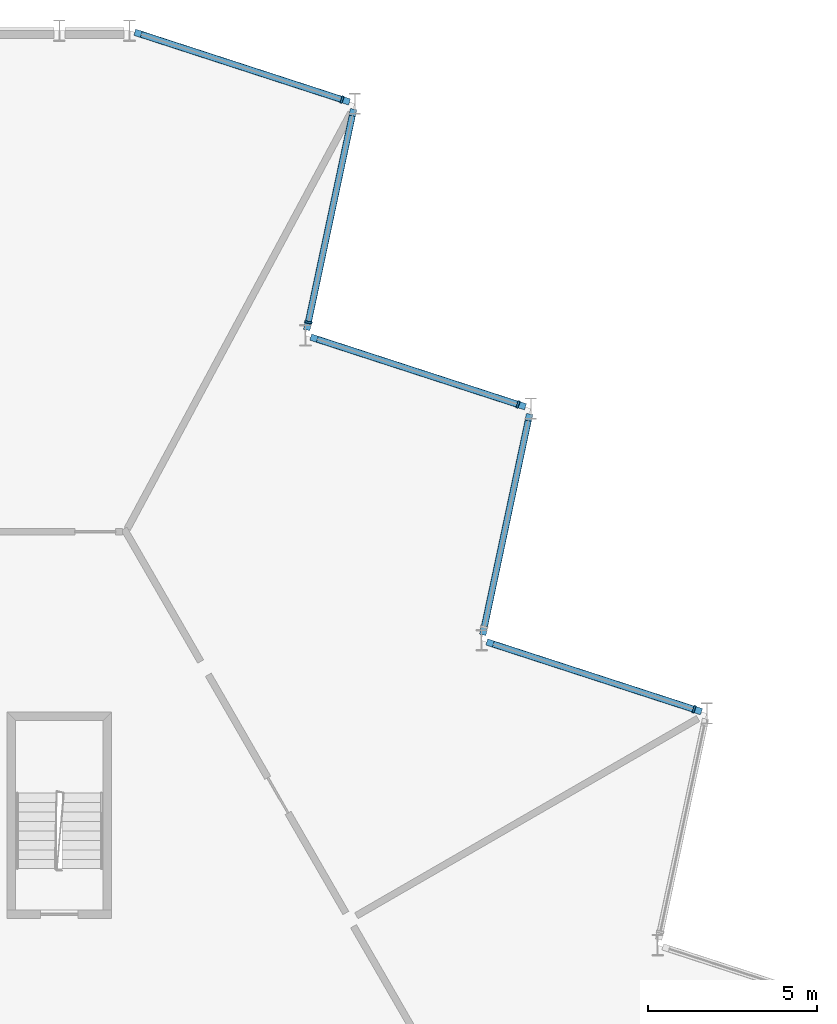
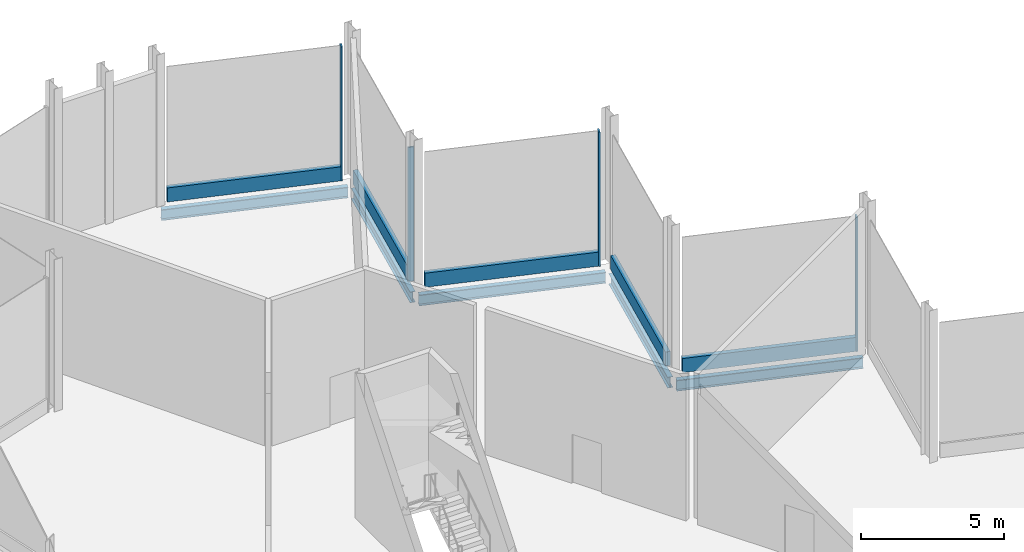
# One storey, part 8 of 12: 9 members, 5 beams, 5 elements without a shape of their own.
"""IFC4 building model written with IfcOpenShell, lengths in metres."""

from ifc_helpers import new_model, si_unit, direction, frame, origin, origin_2d, place, context, subcontext, project, spatial, rectangle, i_section, extrude, material, layer, layer_set, material_profile, profile_set, type_object, element, aggregate, save


model = new_model("IFC4")

# Units and contexts
model_context = context("Model", 3, precision=1e-05, world=origin(), true_north=direction((0.0, 1.0)))
body_context = subcontext(model_context, "Body", "Model", "MODEL_VIEW")
ifc_project = project(units=[si_unit("LENGTHUNIT", "METRE"), si_unit("AREAUNIT", "SQUARE_METRE"), si_unit("VOLUMEUNIT", "CUBIC_METRE"), si_unit("PLANEANGLEUNIT", "RADIAN"), si_unit("MASSUNIT", "GRAM", prefix="KILO")], contexts=[model_context])

# Site, building, storey
site_placement = place(None, origin())
site = spatial("IfcSite", under=ifc_project, at=site_placement, CompositionType="ELEMENT")
building_placement = place(site_placement, origin())
building = spatial("IfcBuilding", under=site, at=building_placement, Name="Cormorant Prow Tower", CompositionType="ELEMENT")
storey_placement = place(building_placement, frame((0.0, 0.0, 421.699951171875)))
storey = spatial("IfcBuildingStorey", under=building, at=storey_placement, Name="L95", CompositionType="ELEMENT", Elevation=421.699951171875)

# Curtain wall, member
ifc_material_1 = material(Name="Aluminium 6063-T6", Category="aluminium")
ifc_layer = layer(ifc_material_1, 0.219970703125)
ifc_layer_set = layer_set([ifc_layer], Name="Aluminium 6063-T6")
curtain_wall_type = type_object("IfcCurtainWallType", Name="Crown unitised curtain wall 220", PredefinedType="NOTDEFINED", material=ifc_layer_set)
curtain_wall_1_placement = place(storey_placement, origin())
curtain_wall_1 = element("IfcCurtainWall", 1, at=curtain_wall_1_placement, inside=storey, type_object=curtain_wall_type, Name="Crown curtain wall crown ENE05", PredefinedType="NOTDEFINED")
ifc_material_2 = material(Name="Aluminium 6063-T6", Category="aluminium")
ifc_material_profile_1 = material_profile(ifc_material_2, rectangle(XDim=0.219970703125, YDim=0.06005859375, at=origin_2d()), Name="Crown mullion 60x220")
ifc_profile_set_1 = profile_set([ifc_material_profile_1], Name="Aluminium 6063-T6")
member_type_1 = type_object("IfcMemberType", Name="Crown mullion 60x220", PredefinedType="MULLION", material=ifc_profile_set_1)
member_1_placement = place(storey_placement, frame((18.751953125, 11.166259765625, 0.0), z_axis=(0.0, 0.0, 1.0), x_axis=(-0.309017066365, -0.951056492904, 0.0)))
member_1 = element("IfcMember", 2, at=member_1_placement, type_object=member_type_1, Name="Crown mullion crown ENE05", PredefinedType="MULLION", context=body_context, shape_type="SweptSolid", body=[
    extrude(rectangle(XDim=0.219970703125, YDim=0.06005859375, at=origin_2d()), origin(), (0.0, 0.0, 1.0), 5.73388671875),
])

curtain_wall_2_placement = place(storey_placement, origin())
curtain_wall_2 = element("IfcCurtainWall", 3, at=curtain_wall_2_placement, inside=storey, type_object=curtain_wall_type, Name="Crown curtain wall crown ENE07", PredefinedType="NOTDEFINED")
member_2_placement = place(storey_placement, frame((13.552001953125, 20.1728515625, 0.0), z_axis=(0.0, 0.0, 1.0), x_axis=(-0.309016937108, -0.951056534902, 0.0)))
member_2 = element("IfcMember", 4, at=member_2_placement, type_object=member_type_1, Name="Crown mullion crown ENE07", PredefinedType="MULLION", context=body_context, shape_type="SweptSolid", body=[
    extrude(rectangle(XDim=0.219970703125, YDim=0.06005859375, at=origin_2d()), origin(), (0.0, 0.0, 1.0), 5.73388671875),
])

curtain_wall_3_placement = place(storey_placement, origin())
curtain_wall_3 = element("IfcCurtainWall", 5, at=curtain_wall_3_placement, inside=storey, type_object=curtain_wall_type, Name="Crown curtain wall crown ENE08", PredefinedType="NOTDEFINED")
member_3_placement = place(storey_placement, frame((7.356201171875, 22.60009765625, 0.0), z_axis=(0.0, 0.0, 1.0), x_axis=(-0.978147615768, 0.207911620089, 0.0)))
member_3 = element("IfcMember", 6, at=member_3_placement, type_object=member_type_1, Name="Crown mullion crown ENE08", PredefinedType="MULLION", context=body_context, shape_type="SweptSolid", body=[
    extrude(rectangle(XDim=0.219970703125, YDim=0.06005859375, at=origin_2d()), origin(), (0.0, 0.0, 1.0), 5.73388671875),
])

curtain_wall_4_placement = place(storey_placement, origin())
curtain_wall_4 = element("IfcCurtainWall", 7, at=curtain_wall_4_placement, inside=storey, type_object=curtain_wall_type, Name="Crown curtain wall crown ENE09", PredefinedType="NOTDEFINED")
member_4_placement = place(storey_placement, frame((8.35205078125, 29.1796875, 0.0), z_axis=(0.0, 0.0, 1.0), x_axis=(-0.309017066365, -0.951056492904, 0.0)))
member_4 = element("IfcMember", 8, at=member_4_placement, type_object=member_type_1, Name="Crown mullion crown ENE09", PredefinedType="MULLION", context=body_context, shape_type="SweptSolid", body=[
    extrude(rectangle(XDim=0.219970703125, YDim=0.06005859375, at=origin_2d()), origin(), (0.0, 0.0, 1.0), 5.73388671875),
])

# Beams
ifc_material_3 = material(Name="Structural steel ASTM A992 Gr 50", Category="steel")
ifc_material_profile_2 = material_profile(ifc_material_3, i_section(OverallWidth=0.19287109375, OverallDepth=0.466064453125, WebThickness=0.011474609375, FlangeThickness=0.01904296875, at=origin_2d()), Name="W18x65")
ifc_profile_set_2 = profile_set([ifc_material_profile_2], Name="Structural steel ASTM A992 Gr 50")
beam_type = type_object("IfcBeamType", Name="Crown ring beam W18x65", PredefinedType="SPANDREL", material=ifc_profile_set_2)
for number, where, z_axis, x_axis, name in (
    (9, (18.973388671875, 11.09423828125, -0.532958984375), (-0.951049666898, 0.309038073858, 0.0), (-0.309038073858, -0.951049666898, 0.0), "Crown ring beam SB5 ENE05-ENE06 L95"),
    (10, (12.5078125, 13.365966796875, -0.532958984375), (0.207919161079, 0.978146012851, 0.0), (-0.978146012851, 0.207919161079, 0.0), "Crown ring beam SB5 ENE06-ENE07 L95"),
):
    element("IfcBeam", number, at=place(storey_placement, frame(where, z_axis=z_axis, x_axis=x_axis)), inside=storey, type_object=beam_type, Name=name, PredefinedType="SPANDREL", context=body_context, shape_type="SweptSolid", body=[
        extrude(i_section(OverallWidth=0.19287109375, OverallDepth=0.466064453125, WebThickness=0.011474609375, FlangeThickness=0.01904296875, at=origin_2d()), origin(), (0.0, 0.0, 1.0), 6.670654296875),
    ])
beam_placement = place(storey_placement, frame((13.7734375, 20.10107421875, -0.532958984375), z_axis=(-0.951063917575, 0.308994214649, 0.0), x_axis=(-0.308994214649, -0.951063917575, 0.0)))
element("IfcBeam", 11, at=beam_placement, inside=storey, type_object=beam_type, Name="Crown ring beam SB5 ENE07-ENE08 L95", PredefinedType="SPANDREL", context=body_context, shape_type="SweptSolid", body=[
    extrude(i_section(OverallWidth=0.19287109375, OverallDepth=0.466064453125, WebThickness=0.011474609375, FlangeThickness=0.01904296875, at=origin_2d()), origin(), (0.0, 0.0, 1.0), 6.6708984375),
])
for number, where, z_axis, x_axis, name in (
    (12, (7.307861328125, 22.37255859375, -0.532958984375), (0.207884143827, 0.978153455622, 0.0), (-0.978153455622, 0.207884143827, 0.0), "Crown ring beam SB5 ENE08-ENE09 L95"),
    (13, (8.5732421875, 29.107666015625, -0.532958984375), (-0.951049666898, 0.309038073858, 0.0), (-0.309038073858, -0.951049666898, 0.0), "Crown ring beam SB5 ENE09-N00 L95"),
):
    element("IfcBeam", number, at=place(storey_placement, frame(where, z_axis=z_axis, x_axis=x_axis)), inside=storey, type_object=beam_type, Name=name, PredefinedType="SPANDREL", context=body_context, shape_type="SweptSolid", body=[
        extrude(i_section(OverallWidth=0.19287109375, OverallDepth=0.466064453125, WebThickness=0.011474609375, FlangeThickness=0.01904296875, at=origin_2d()), origin(), (0.0, 0.0, 1.0), 6.670654296875),
    ])

# Member
ifc_material_4 = material(Name="Terracotta", Category="masonry")
ifc_material_profile_3 = material_profile(ifc_material_4, rectangle(XDim=0.179931640625, YDim=0.60009765625, at=origin_2d()), Name="Crown terracotta spandrel rail 180x600")
ifc_profile_set_3 = profile_set([ifc_material_profile_3], Name="Terracotta")
member_type_2 = type_object("IfcMemberType", Name="Crown terracotta spandrel rail 180x600", PredefinedType="USERDEFINED", material=ifc_profile_set_3)
member_5_placement = place(storey_placement, frame((18.723388671875, 11.175537109375, 0.300048828125), z_axis=(-0.951059797983, 0.309006894194, 0.0), x_axis=(-0.309006894194, -0.951059797983, 0.0)))
member_5 = element("IfcMember", 14, at=member_5_placement, type_object=member_type_2, Name="Crown spandrel rail crown ENE05", ObjectType="TRANSOM", PredefinedType="USERDEFINED", context=body_context, shape_type="SweptSolid", body=[
    extrude(rectangle(XDim=0.179931640625, YDim=0.60009765625, at=origin_2d()), origin(), (0.0, 0.0, 1.0), 6.205322265625),
])

aggregate(curtain_wall_1, [member_1, member_5])

# Curtain wall, member
curtain_wall_5_placement = place(storey_placement, origin())
curtain_wall_5 = element("IfcCurtainWall", 15, at=curtain_wall_5_placement, inside=storey, type_object=curtain_wall_type, Name="Crown curtain wall crown ENE06", PredefinedType="NOTDEFINED")
member_6_placement = place(storey_placement, frame((12.562255859375, 13.622802734375, 0.300048828125), z_axis=(0.207927454003, 0.978144250033, 0.0), x_axis=(-0.978144250033, 0.207927454003, 0.0)))
member_6 = element("IfcMember", 16, at=member_6_placement, type_object=member_type_2, Name="Crown spandrel rail crown ENE06", ObjectType="TRANSOM", PredefinedType="USERDEFINED", context=body_context, shape_type="SweptSolid", body=[
    extrude(rectangle(XDim=0.179931640625, YDim=0.60009765625, at=origin_2d()), origin(), (0.0, 0.0, 1.0), 6.20556640625),
])
aggregate(curtain_wall_5, [member_6])

# Member
member_7_placement = place(storey_placement, frame((13.5234375, 20.18212890625, 0.300048828125), z_axis=(-0.951048234918, 0.309042480672, 0.0), x_axis=(-0.309042480672, -0.951048234918, 0.0)))
member_7 = element("IfcMember", 17, at=member_7_placement, type_object=member_type_2, Name="Crown spandrel rail crown ENE07", ObjectType="TRANSOM", PredefinedType="USERDEFINED", context=body_context, shape_type="SweptSolid", body=[
    extrude(rectangle(XDim=0.179931640625, YDim=0.60009765625, at=origin_2d()), origin(), (0.0, 0.0, 1.0), 6.205322265625),
])

aggregate(curtain_wall_2, [member_2, member_7])

member_8_placement = place(storey_placement, frame((7.3623046875, 22.629638671875, 0.300048828125), z_axis=(0.207935455991, 0.978142548988, 0.0), x_axis=(-0.978142548988, 0.207935455991, 0.0)))
member_8 = element("IfcMember", 18, at=member_8_placement, type_object=member_type_2, Name="Crown spandrel rail crown ENE08", ObjectType="TRANSOM", PredefinedType="USERDEFINED", context=body_context, shape_type="SweptSolid", body=[
    extrude(rectangle(XDim=0.179931640625, YDim=0.60009765625, at=origin_2d()), origin(), (0.0, 0.0, 1.0), 6.205322265625),
])

aggregate(curtain_wall_3, [member_3, member_8])

member_9_placement = place(storey_placement, frame((8.323486328125, 29.18896484375, 0.300048828125), z_axis=(-0.951059797983, 0.309006894194, 0.0), x_axis=(-0.309006894194, -0.951059797983, 0.0)))
member_9 = element("IfcMember", 19, at=member_9_placement, type_object=member_type_2, Name="Crown spandrel rail crown ENE09", ObjectType="TRANSOM", PredefinedType="USERDEFINED", context=body_context, shape_type="SweptSolid", body=[
    extrude(rectangle(XDim=0.179931640625, YDim=0.60009765625, at=origin_2d()), origin(), (0.0, 0.0, 1.0), 6.205322265625),
])

aggregate(curtain_wall_4, [member_4, member_9])

save(model, "model.ifc")
